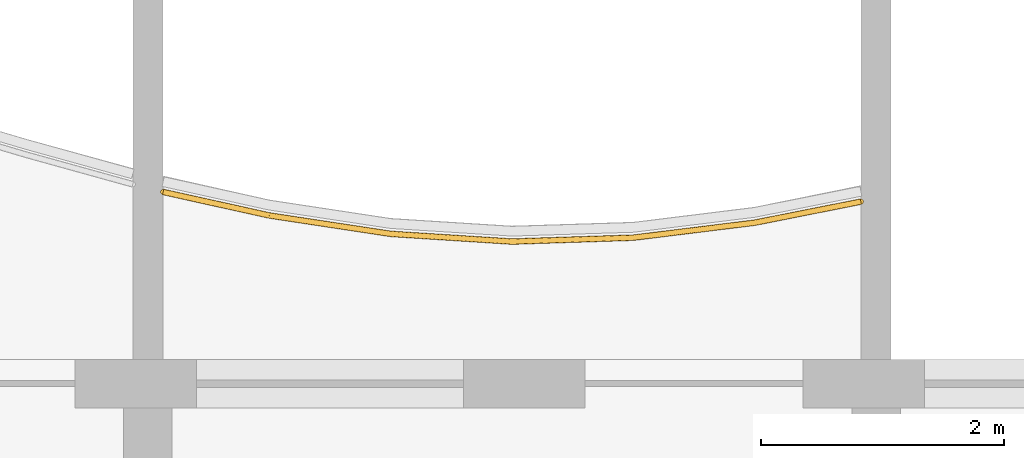
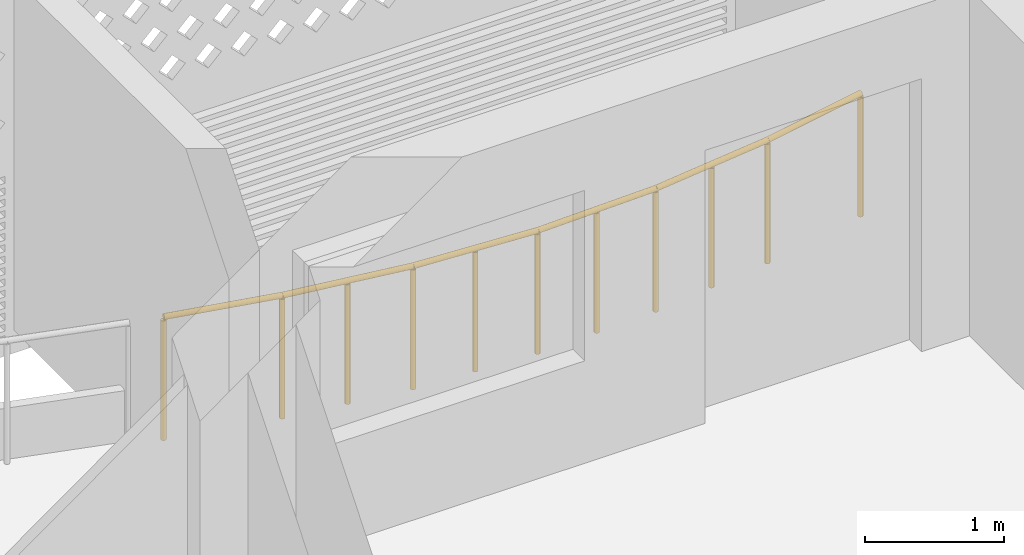
# One storey, part 22 of 40: 1 railing.
"""IFC4 building model written with IfcOpenShell, lengths in metres."""

import ifcopenshell
import ifcopenshell.guid

model = None  # the IFC model being written
_history = None  # IfcOwnerHistory: only IFC2X3 demands one
_inside = {}  # id of a spatial element -> (the spatial element, [elements in it])
_under = {}  # id of a project, library or spatial element -> (it, [spatial elements below it])
_declared = {}  # id of a project -> (the project, [libraries it declares])
_typed = {}  # id of a type object -> (the type object, [elements of that type])
_made_of = {}  # id of a material, layer set ... -> (it, [elements and type objects made of it])


def new_model(schema):
    """Start an empty IFC model of exactly this schema.

    Asked for "IFC4X3", IfcOpenShell would pick the latest addendum, in which some entities
    have other attributes; the version numbers below select the first issue.
    IFC2X3 requires an IfcOwnerHistory on every rooted entity: one is made here for all.
    """
    global model, _history
    if schema == "IFC4X3":
        model = ifcopenshell.file(schema_version=(4, 3, 0, 0))
    else:
        model = ifcopenshell.file(schema=schema)
    _inside.clear()
    _under.clear()
    _declared.clear()
    _typed.clear()
    _made_of.clear()
    _history = None
    if model.schema == "IFC2X3":
        org = make("IfcOrganization", Name="unknown")
        user = make(
            "IfcPersonAndOrganization",
            ThePerson=make("IfcPerson", FamilyName="unknown"),
            TheOrganization=org,
        )
        app = make(
            "IfcApplication",
            ApplicationDeveloper=org,
            Version="unknown",
            ApplicationFullName="unknown",
            ApplicationIdentifier="unknown",
        )
        _history = make(
            "IfcOwnerHistory",
            OwningUser=user,
            OwningApplication=app,
            ChangeAction="ADDED",
            CreationDate=0,
        )
    return model


def make(cls, **values):
    """One entity of the class cls with the attributes given. An attribute that is None is left unset."""
    return model.create_entity(
        cls, **{name: value for name, value in values.items() if value is not None}
    )


def rooted(cls, **values):
    """An entity with a GlobalId (a new one), such as an element, a storey or a relation."""
    return make(cls, GlobalId=ifcopenshell.guid.new(), OwnerHistory=_history, **values)


def si_unit(unit_type, name, prefix=None):
    """IfcSIUnit, for example si_unit("LENGTHUNIT", "METRE", prefix="MILLI")."""
    return make("IfcSIUnit", UnitType=unit_type, Prefix=prefix, Name=name)


def assignment(units):
    """IfcUnitAssignment: the units of a project."""
    return None if units is None else make("IfcUnitAssignment", Units=units)


def point(xyz):
    """IfcCartesianPoint."""
    return None if xyz is None else make("IfcCartesianPoint", Coordinates=xyz)


def direction(xyz):
    """IfcDirection."""
    return None if xyz is None else make("IfcDirection", DirectionRatios=xyz)


def frame(location, z_axis=None, x_axis=None):
    """IfcAxis2Placement3D, a coordinate frame: its origin and axes. An axis left out is left unset."""
    return make(
        "IfcAxis2Placement3D",
        Location=point(location),
        Axis=direction(z_axis),
        RefDirection=direction(x_axis),
    )


def frame_2d(location, x_axis=None):
    """IfcAxis2Placement2D, a coordinate frame in the plane: its origin and x axis."""
    return make(
        "IfcAxis2Placement2D", Location=point(location), RefDirection=direction(x_axis)
    )


def origin():
    """The frame at (0, 0, 0) with its axes left unset."""
    return frame((0.0, 0.0, 0.0))


def origin_2d():
    """The frame at (0, 0) in the plane with its x axis left unset."""
    return frame_2d((0.0, 0.0))


def place(relative_to, where):
    """IfcLocalPlacement: puts the frame where relative to a parent placement (None: the world)."""
    return make(
        "IfcLocalPlacement", PlacementRelTo=relative_to, RelativePlacement=where
    )


def context(
    kind, dimensions, precision=None, world=None, true_north=None, identifier=None
):
    """IfcGeometricRepresentationContext, for example the 3D "Model" context."""
    return make(
        "IfcGeometricRepresentationContext",
        ContextIdentifier=identifier,
        ContextType=kind,
        CoordinateSpaceDimension=dimensions,
        Precision=precision,
        WorldCoordinateSystem=world,
        TrueNorth=true_north,
    )


def subcontext(parent, identifier, kind, view, scale=None):
    """IfcGeometricRepresentationSubContext, for example "Body" below "Model"."""
    return make(
        "IfcGeometricRepresentationSubContext",
        ContextIdentifier=identifier,
        ContextType=kind,
        ParentContext=parent,
        TargetScale=scale,
        TargetView=view,
    )


def project(units=None, contexts=None):
    """IfcProject with its units and contexts."""
    return rooted(
        "IfcProject",
        Name="project",
        RepresentationContexts=contexts,
        UnitsInContext=assignment(units),
    )


def spatial(cls, under=None, at=None, **own):
    """A site, building, storey or space (cls), placed at a placement, below another one or the project."""
    s = rooted(cls, ObjectPlacement=at, **own)
    if under is not None:
        _under.setdefault(under.id(), (under, []))[1].append(s)
    return s


def profile(cls, at=None, kind="AREA", **sizes):
    """A parametric profile (cls). Its sizes go by their IFC names, for example OverallWidth=200.0."""
    return make(cls, ProfileType=kind, Position=at, **sizes)


def circle(**sizes):
    """IfcCircleProfileDef."""
    return profile("IfcCircleProfileDef", **sizes)


def extrude(swept, where, along, depth):
    """IfcExtrudedAreaSolid: the profile swept, set in the frame where, extruded along a direction by depth."""
    return make(
        "IfcExtrudedAreaSolid",
        SweptArea=swept,
        Position=where,
        ExtrudedDirection=direction(along),
        Depth=depth,
    )


def shape(context_of_items, identifier, shape_type, items):
    """IfcShapeRepresentation: the items that make up one representation, for example the "Body"."""
    return make(
        "IfcShapeRepresentation",
        ContextOfItems=context_of_items,
        RepresentationIdentifier=identifier,
        RepresentationType=shape_type,
        Items=items,
    )


def material(Name=None, Category=None):
    """IfcMaterial."""
    return make("IfcMaterial", Name=Name, Category=Category)


def made_of(thing, what):
    """Note that an element or type object is made of a material, layer set ...; save() writes the relation."""
    if what is not None:
        _made_of.setdefault(what.id(), (what, []))[1].append(thing)
    return thing


def type_object(cls, material=None, **own):
    """A type object (cls), such as IfcWallType, which elements share."""
    return made_of(rooted(cls, **own), material)


def element(
    cls,
    number,
    at=None,
    inside=None,
    cuts=None,
    type_object=None,
    material=None,
    context=None,
    identifier="Body",
    shape_type=None,
    held_by="IfcProductDefinitionShape",
    body=None,
    shapes=None,
    **own,
):
    """One element of the class cls, such as IfcWall. Its Tag is "e" and its number.

    at: its placement. inside: the storey or other place that contains it. cuts: it is an
    opening in that element (IfcRelVoidsElement). A single representation is given by context,
    identifier, shape_type and body (its items); several are given by shapes. held_by: the class
    of the entity that holds the representations. save() writes the other relations.
    """
    e = rooted(cls, Tag="e%d" % number, ObjectPlacement=at, **own)
    if body is not None:
        shapes = [shape(context, identifier, shape_type, body)]
    if shapes is not None:
        e.Representation = make(held_by, Representations=shapes)
    if inside is not None:
        _inside.setdefault(inside.id(), (inside, []))[1].append(e)
    if cuts is not None:
        rooted(
            "IfcRelVoidsElement", RelatingBuildingElement=cuts, RelatedOpeningElement=e
        )
    if type_object is not None:
        _typed.setdefault(type_object.id(), (type_object, []))[1].append(e)
    return made_of(e, material)


def aggregate(whole, parts):
    """IfcRelAggregates: a whole, such as a stair, and the parts it consists of."""
    return rooted("IfcRelAggregates", RelatingObject=whole, RelatedObjects=parts)


def save(model, path):
    """Write the relations noted so far, then the file.

    IfcRelAggregates (storeys below a building ...), IfcRelContainedInSpatialStructure (elements
    in a storey), IfcRelDefinesByType, IfcRelAssociatesMaterial and IfcRelDeclares: one each for
    every whole, place, type object, material and project.
    """
    for whole, parts in _under.values():
        aggregate(whole, parts)
    for where, things in _inside.values():
        rooted(
            "IfcRelContainedInSpatialStructure",
            RelatedElements=things,
            RelatingStructure=where,
        )
    for kind, things in _typed.values():
        rooted("IfcRelDefinesByType", RelatedObjects=things, RelatingType=kind)
    for what, things in _made_of.values():
        rooted("IfcRelAssociatesMaterial", RelatedObjects=things, RelatingMaterial=what)
    for by, libraries in _declared.values():
        rooted("IfcRelDeclares", RelatingContext=by, RelatedDefinitions=libraries)
    model.write(path)


model = new_model("IFC4")

# Units and contexts
model_context = context("Model", 3, precision=1e-05, world=origin(), true_north=direction((0.0, 1.0)))
body_context = subcontext(model_context, "Body", "Model", "MODEL_VIEW")
ifc_project = project(units=[si_unit("LENGTHUNIT", "METRE"), si_unit("AREAUNIT", "SQUARE_METRE"), si_unit("VOLUMEUNIT", "CUBIC_METRE"), si_unit("PLANEANGLEUNIT", "RADIAN"), si_unit("MASSUNIT", "GRAM", prefix="KILO")], contexts=[model_context])

# Site, building, storey
site_placement = place(None, origin())
site = spatial("IfcSite", under=ifc_project, at=site_placement, CompositionType="ELEMENT")
building_placement = place(site_placement, origin())
building = spatial("IfcBuilding", under=site, at=building_placement, Name="Poui Terraces", CompositionType="ELEMENT")
storey_placement = place(building_placement, frame((0.0, 0.0, 39.89990234375)))
storey = spatial("IfcBuildingStorey", under=building, at=storey_placement, Name="L10", CompositionType="ELEMENT", Elevation=39.89990234375)

# Railing
ifc_material = material(Name="Painted steel fretwork", Category="steel")
railing_type = type_object("IfcRailingType", Name="BALCONY GUARD 1100", PredefinedType="GUARDRAIL", material=ifc_material)
railing_placement = place(storey_placement, frame((12.125, 46.3798828125, 0.0)))
element("IfcRailing", 1, at=railing_placement, inside=storey, type_object=railing_type, Name="BALCONY GUARD", PredefinedType="GUARDRAIL", context=body_context, shape_type="SweptSolid", body=[
    extrude(circle(Radius=0.02392578125, at=origin_2d()), frame((0.0, 0.0, 1.076171875), z_axis=(0.97638536351, -0.216036158835, 0.0), x_axis=(0.216036158835, 0.97638536351, 0.0)), (0.0, 0.0, 1.0), 0.896240234375),
    extrude(circle(Radius=0.02392578125, at=origin_2d()), frame((0.875, -0.193603515625, 1.076171875), z_axis=(0.988701415616, -0.149898334741, 0.0), x_axis=(0.149898334741, 0.988701415616, 0.0)), (0.0, 0.0, 1.0), 1.011474609375),
    extrude(circle(Radius=0.02392578125, at=origin_2d()), frame((1.875, -0.34521484375, 1.076171875), z_axis=(0.997991430779, -0.06334906543, 0.0), x_axis=(0.06334906543, 0.997991430779, 0.0)), (0.0, 0.0, 1.0), 1.001953125),
    extrude(circle(Radius=0.02392578125, at=origin_2d()), frame((2.875, -0.40869140625, 1.076171875), z_axis=(0.999488954364, 0.031966077398, 0.0), x_axis=(-0.031966077398, 0.999488954364, 0.0)), (0.0, 0.0, 1.0), 1.00048828125),
    extrude(circle(Radius=0.02392578125, at=origin_2d()), frame((3.875, -0.376708984375, 1.076171875), z_axis=(0.992455772574, 0.122603178936, 0.0), x_axis=(-0.122603178936, 0.992455772574, 0.0)), (0.0, 0.0, 1.0), 1.007568359375),
    extrude(circle(Radius=0.02392578125, at=origin_2d()), frame((4.875, -0.253173828125, 1.076171875), z_axis=(0.980884751127, 0.19458958093, 0.0), x_axis=(-0.19458958093, 0.980884751127, 0.0)), (0.0, 0.0, 1.0), 0.89208984375),
    extrude(circle(Radius=0.02099609375, at=origin_2d()), origin(), (0.0, 0.0, 1.0), 1.052001953125),
    extrude(circle(Radius=0.02099609375, at=origin_2d()), frame((0.875, -0.193603515625, 0.0)), (0.0, 0.0, 1.0), 1.052001953125),
    extrude(circle(Radius=0.02099609375, at=origin_2d()), frame((1.375, -0.26953125, 0.0)), (0.0, 0.0, 1.0), 1.052001953125),
    extrude(circle(Radius=0.02099609375, at=origin_2d()), frame((1.875, -0.34521484375, 0.0)), (0.0, 0.0, 1.0), 1.052001953125),
    extrude(circle(Radius=0.02099609375, at=origin_2d()), frame((2.375, -0.376953125, 0.0)), (0.0, 0.0, 1.0), 1.052001953125),
    extrude(circle(Radius=0.02099609375, at=origin_2d()), frame((2.875, -0.40869140625, 0.0)), (0.0, 0.0, 1.0), 1.052001953125),
    extrude(circle(Radius=0.02099609375, at=origin_2d()), frame((3.375, -0.392578125, 0.0)), (0.0, 0.0, 1.0), 1.052001953125),
    extrude(circle(Radius=0.02099609375, at=origin_2d()), frame((3.875, -0.376708984375, 0.0)), (0.0, 0.0, 1.0), 1.052001953125),
    extrude(circle(Radius=0.02099609375, at=origin_2d()), frame((4.375, -0.31494140625, 0.0)), (0.0, 0.0, 1.0), 1.052001953125),
    extrude(circle(Radius=0.02099609375, at=origin_2d()), frame((4.875, -0.253173828125, 0.0)), (0.0, 0.0, 1.0), 1.052001953125),
    extrude(circle(Radius=0.02099609375, at=origin_2d()), frame((5.75, -0.07958984375, 0.0)), (0.0, 0.0, 1.0), 1.052001953125),
])

save(model, "model.ifc")
